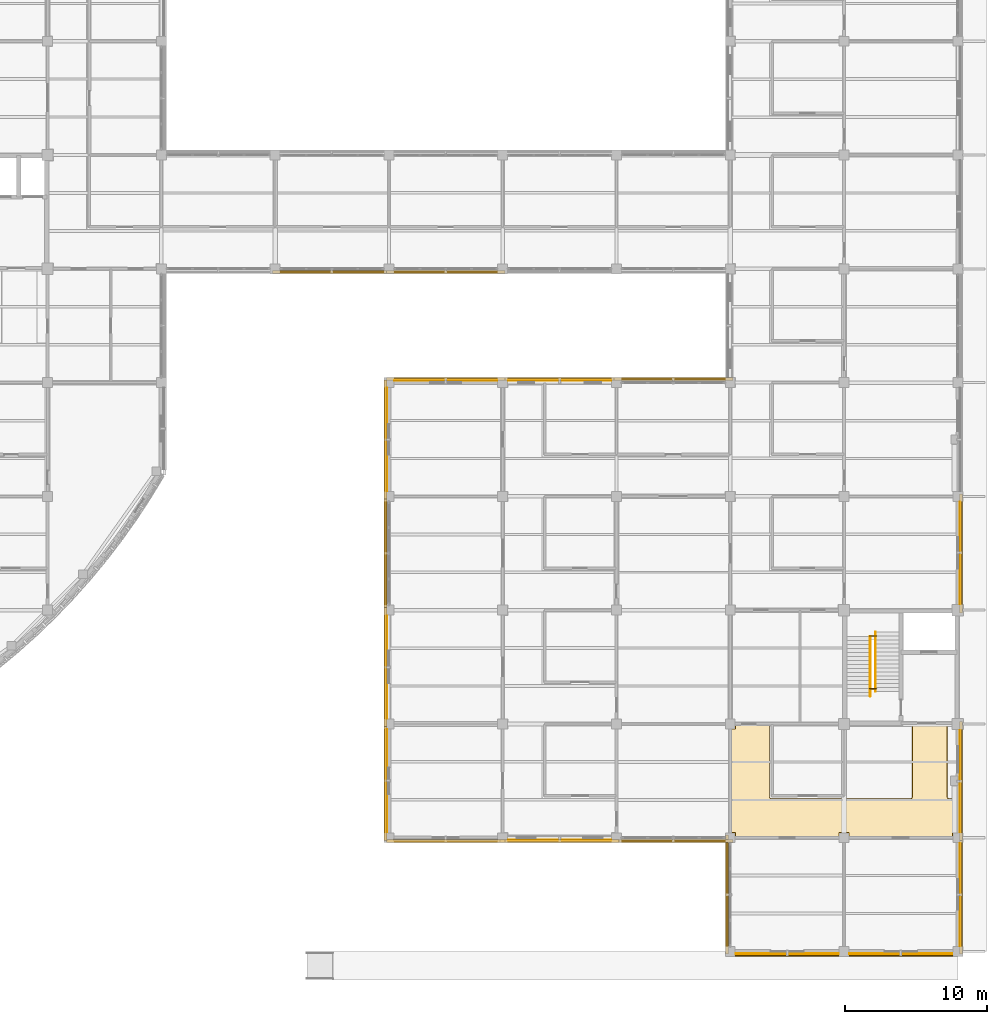
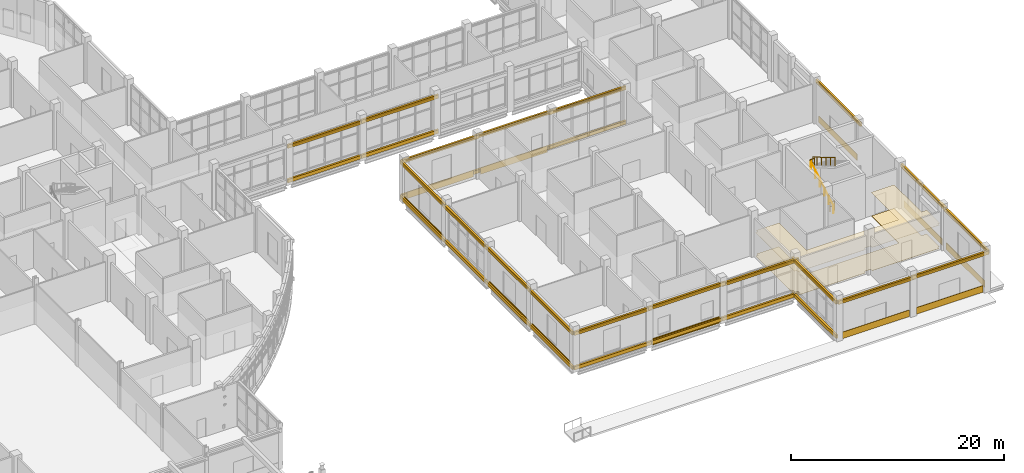
# One storey, part 102 of 105: 44 coverings, 18 shading devices, 4 railings.
"""IFC4 building model written with IfcOpenShell, lengths in metres."""

from ifc_helpers import new_model, si_unit, derived_unit, direction, frame, origin, origin_2d, place, context, subcontext, project, spatial, polyline, rectangle, circle, outline, extrude, material, layer, layer_set, material_profile, profile_set, type_object, element, save


model = new_model("IFC4")

# Units and contexts
model_context = context("Model", 3, precision=1e-05, world=origin(), true_north=direction((0.0, 1.0)))
body_context = subcontext(model_context, "Body", "Model", "MODEL_VIEW")
ifc_project = project(units=[si_unit("LENGTHUNIT", "METRE"), si_unit("AREAUNIT", "SQUARE_METRE"), si_unit("VOLUMEUNIT", "CUBIC_METRE"), si_unit("PLANEANGLEUNIT", "RADIAN"), si_unit("MASSUNIT", "GRAM", prefix="KILO"), derived_unit("THERMALTRANSMITTANCEUNIT", [(si_unit("MASSUNIT", "GRAM", prefix="KILO"), 1), (si_unit("TIMEUNIT", "SECOND"), -3), (si_unit("THERMODYNAMICTEMPERATUREUNIT", "KELVIN"), -1)])], contexts=[model_context])

# Site, building, storey
site_placement = place(None, origin())
site = spatial("IfcSite", under=ifc_project, at=site_placement, CompositionType="ELEMENT")
building_placement = place(site_placement, origin())
building = spatial("IfcBuilding", under=site, at=building_placement, Name="Veyamyaing Civic Hall", CompositionType="ELEMENT")
storey_placement = place(building_placement, origin())
storey = spatial("IfcBuildingStorey", under=building, at=storey_placement, Name="L00", CompositionType="ELEMENT", Elevation=0.0)

# Coverings
ifc_material_1 = material(Name="Buff sandstone ashlar cladding", Category="masonry")
ifc_layer_1 = layer(ifc_material_1, 0.050048828125, Name="Buff sandstone ashlar cladding")
ifc_layer_set_1 = layer_set([ifc_layer_1], Name="Buff sandstone ashlar cladding")
covering_type_1 = type_object("IfcCoveringType", Name="CL-01", PredefinedType="CLADDING", material=ifc_layer_set_1)
for number, where, z_axis, x_axis, name in (
    (1, (135.843994140625, 12.0, 0.044921875), (0.0, 0.0, 1.0), (0.0, 1.0, 0.0), "Facade spandrel cladding CL-01 L00 W 18.2"),
    (2, (135.843994140625, 20.0, 0.044921875), (0.0, 0.0, 1.0), (0.0, 1.0, 0.0), "Facade spandrel cladding CL-01 L00 W 18.3"),
    (3, (140.0, 40.156005859375, 0.044921875), (0.0, 0.0, 1.0), (1.0, 0.0, 0.0), "Facade spandrel cladding CL-01 L00 N 18.5"),
    (4, (135.843994140625, 36.0, 0.044921875), (0.0, 0.0, 1.0), (0.0, 1.0, 0.0), "Facade spandrel cladding CL-01 L00 W 18.5"),
    (5, (148.0, 7.843994140625, 0.044921875), (0.0, 0.0, 1.0), (1.0, 0.0, 0.0), "Facade spandrel cladding CL-01 L00 S 19.2"),
    (6, (148.0, 40.156005859375, 0.044921875), (0.0, 0.0, 1.0), (1.0, 0.0, 0.0), "Facade spandrel cladding CL-01 L00 N 19.5"),
    (7, (164.0, -0.156005859375, 0.044921875), (0.0, 0.0, 1.0), (1.0, 0.0, 0.0), "Facade spandrel cladding CL-01 L00 S 21.1"),
    (8, (172.0, -0.156005859375, 0.044921875), (0.0, 0.0, 1.0), (1.0, 0.0, 0.0), "Facade spandrel cladding CL-01 L00 S 22.1"),
    (9, (176.156005859375, 4.0, 0.044921875), (0.0, 0.0, 1.0), (0.0, 1.0, 0.0), "Facade spandrel cladding CL-01 L00 E 22.1"),
):
    element("IfcCovering", number, at=place(storey_placement, frame(where, z_axis=z_axis, x_axis=x_axis)), inside=storey, type_object=covering_type_1, Name=name, PredefinedType="CLADDING", context=body_context, shape_type="SweptSolid", body=[
        extrude(rectangle(XDim=7.25, YDim=0.050048828125, at=origin_2d()), origin(), (0.0, 0.0, 1.0), 0.75),
    ])
for number, where, z_axis, x_axis, name in (
    (10, (176.156005859375, 11.97509765625, 0.044921875), (0.0, 0.0, 1.0), (0.0, 1.0, 0.0), "Facade spandrel cladding CL-01 L00 E 22.2"),
    (11, (176.156005859375, 28.02490234375, 0.044921875), (0.0, 0.0, 1.0), (0.0, 1.0, 0.0), "Facade spandrel cladding CL-01 L00 E 22.4"),
):
    element("IfcCovering", number, at=place(storey_placement, frame(where, z_axis=z_axis, x_axis=x_axis)), inside=storey, type_object=covering_type_1, Name=name, PredefinedType="CLADDING", context=body_context, shape_type="SweptSolid", body=[
        extrude(rectangle(XDim=7.199951171875, YDim=0.050048828125, at=origin_2d()), origin(), (0.0, 0.0, 1.0), 0.75),
    ])
ifc_material_2 = material(Name="White powder-coated aluminium 6063-T6", Category="aluminium")
ifc_layer_2 = layer(ifc_material_2, 0.2099609375, Name="White powder-coated aluminium 6063-T6")
ifc_layer_set_2 = layer_set([ifc_layer_2], Name="White powder-coated aluminium 6063-T6")
covering_type_2 = type_object("IfcCoveringType", Name="CL-03", PredefinedType="CLADDING", material=ifc_layer_set_2)
for number, where, z_axis, x_axis, name in (
    (12, (132.0, 47.760009765625, 4.234130859375), (0.0, 0.0, 1.0), (1.0, 0.0, 0.0), "Continuous white head fascia ribbon CL-03 L00 S 17.7"),
    (13, (132.0, 47.760009765625, 0.280029296875), (0.0, 0.0, 1.0), (1.0, 0.0, 0.0), "Continuous white sill fascia ribbon CL-03 L00 S 17.7"),
    (14, (140.0, 7.760009765625, 4.234130859375), (0.0, 0.0, 1.0), (1.0, 0.0, 0.0), "Continuous white head fascia ribbon CL-03 L00 S 18.2"),
    (15, (140.0, 7.760009765625, 0.280029296875), (0.0, 0.0, 1.0), (1.0, 0.0, 0.0), "Continuous white sill fascia ribbon CL-03 L00 S 18.2"),
    (16, (135.760009765625, 12.0, 4.234130859375), (0.0, 0.0, 1.0), (0.0, 1.0, 0.0), "Continuous white head fascia ribbon CL-03 L00 W 18.2"),
    (17, (135.760009765625, 12.0, 0.280029296875), (0.0, 0.0, 1.0), (0.0, 1.0, 0.0), "Continuous white sill fascia ribbon CL-03 L00 W 18.2"),
    (18, (135.760009765625, 20.0, 4.297119140625), (0.0, 0.0, 1.0), (0.0, 1.0, 0.0), "Continuous white head fascia ribbon CL-03 L00 W 18.3"),
    (19, (135.760009765625, 20.0, 0.280029296875), (0.0, 0.0, 1.0), (0.0, 1.0, 0.0), "Continuous white sill fascia ribbon CL-03 L00 W 18.3"),
    (20, (135.760009765625, 28.0, 4.22998046875), (0.0, 0.0, 1.0), (0.0, 1.0, 0.0), "Continuous white head fascia ribbon CL-03 L00 W 18.4"),
    (21, (135.760009765625, 28.0, 0.280029296875), (0.0, 0.0, 1.0), (0.0, 1.0, 0.0), "Continuous white sill fascia ribbon CL-03 L00 W 18.4"),
    (22, (140.0, 40.239990234375, 4.234130859375), (0.0, 0.0, 1.0), (1.0, 0.0, 0.0), "Continuous white head fascia ribbon CL-03 L00 N 18.5"),
    (23, (140.0, 40.239990234375, 0.280029296875), (0.0, 0.0, 1.0), (1.0, 0.0, 0.0), "Continuous white sill fascia ribbon CL-03 L00 N 18.5"),
    (24, (135.760009765625, 36.0, 4.2939453125), (0.0, 0.0, 1.0), (0.0, 1.0, 0.0), "Continuous white head fascia ribbon CL-03 L00 W 18.5"),
    (25, (135.760009765625, 36.0, 0.280029296875), (0.0, 0.0, 1.0), (0.0, 1.0, 0.0), "Continuous white sill fascia ribbon CL-03 L00 W 18.5"),
    (26, (140.0, 47.760009765625, 4.297119140625), (0.0, 0.0, 1.0), (1.0, 0.0, 0.0), "Continuous white head fascia ribbon CL-03 L00 S 18.7"),
    (27, (140.0, 47.760009765625, 0.280029296875), (0.0, 0.0, 1.0), (1.0, 0.0, 0.0), "Continuous white sill fascia ribbon CL-03 L00 S 18.7"),
    (28, (148.0, 7.760009765625, 4.297119140625), (0.0, 0.0, 1.0), (1.0, 0.0, 0.0), "Continuous white head fascia ribbon CL-03 L00 S 19.2"),
    (29, (148.0, 7.760009765625, 0.280029296875), (0.0, 0.0, 1.0), (1.0, 0.0, 0.0), "Continuous white sill fascia ribbon CL-03 L00 S 19.2"),
    (30, (148.0, 40.239990234375, 4.297119140625), (0.0, 0.0, 1.0), (1.0, 0.0, 0.0), "Continuous white head fascia ribbon CL-03 L00 N 19.5"),
    (31, (148.0, 40.239990234375, 0.280029296875), (0.0, 0.0, 1.0), (1.0, 0.0, 0.0), "Continuous white sill fascia ribbon CL-03 L00 N 19.5"),
    (32, (156.0, 7.760009765625, 4.22998046875), (0.0, 0.0, 1.0), (1.0, 0.0, 0.0), "Continuous white head fascia ribbon CL-03 L00 S 20.2"),
    (33, (156.0, 7.760009765625, 0.280029296875), (0.0, 0.0, 1.0), (1.0, 0.0, 0.0), "Continuous white sill fascia ribbon CL-03 L00 S 20.2"),
    (34, (156.0, 40.239990234375, 4.22998046875), (0.0, 0.0, 1.0), (1.0, 0.0, 0.0), "Continuous white head fascia ribbon CL-03 L00 N 20.5"),
    (35, (156.0, 40.239990234375, 0.280029296875), (0.0, 0.0, 1.0), (1.0, 0.0, 0.0), "Continuous white sill fascia ribbon CL-03 L00 N 20.5"),
    (36, (164.0, -0.239990234375, 4.22998046875), (0.0, 0.0, 1.0), (1.0, 0.0, 0.0), "Continuous white head fascia ribbon CL-03 L00 S 21.1"),
    (37, (159.760009765625, 4.0, 4.22998046875), (0.0, 0.0, 1.0), (0.0, 1.0, 0.0), "Continuous white head fascia ribbon CL-03 L00 W 21.1"),
    (38, (159.760009765625, 4.0, 0.280029296875), (0.0, 0.0, 1.0), (0.0, 1.0, 0.0), "Continuous white sill fascia ribbon CL-03 L00 W 21.1"),
    (39, (172.0, -0.239990234375, 4.2939453125), (0.0, 0.0, 1.0), (1.0, 0.0, 0.0), "Continuous white head fascia ribbon CL-03 L00 S 22.1"),
    (40, (176.239990234375, 4.0, 4.234130859375), (0.0, 0.0, 1.0), (0.0, 1.0, 0.0), "Continuous white head fascia ribbon CL-03 L00 E 22.1"),
    (41, (176.239990234375, 12.0, 4.297119140625), (0.0, 0.0, 1.0), (0.0, 1.0, 0.0), "Continuous white head fascia ribbon CL-03 L00 E 22.2"),
    (42, (176.239990234375, 28.0, 4.2939453125), (0.0, 0.0, 1.0), (0.0, 1.0, 0.0), "Continuous white head fascia ribbon CL-03 L00 E 22.4"),
):
    element("IfcCovering", number, at=place(storey_placement, frame(where, z_axis=z_axis, x_axis=x_axis)), inside=storey, type_object=covering_type_2, Name=name, PredefinedType="CLADDING", context=body_context, shape_type="SweptSolid", body=[
        extrude(rectangle(XDim=8.360107421875, YDim=0.2099609375, at=origin_2d()), origin(), (0.0, 0.0, 1.0), 0.39990234375),
    ])
ifc_material_3 = material(Name="Perforated acoustic gypsum ceiling board")
ifc_layer_3 = layer(ifc_material_3, 0.02490234375, Name="Perforated acoustic gypsum ceiling board")
ifc_layer_set_3 = layer_set([ifc_layer_3], Name="Perforated acoustic gypsum ceiling board")
covering_type_3 = type_object("IfcCoveringType", Name="CLG-01", PredefinedType="CEILING", material=ifc_layer_set_3)
covering_1_placement = place(storey_placement, frame((0.0, 0.0, 2.699951171875)))
element("IfcCovering", 43, at=covering_1_placement, inside=storey, type_object=covering_type_3, Name="Acoustic suspended ceiling CLG-01 L00-C08", PredefinedType="CEILING", context=body_context, shape_type="SweptSolid", body=[
    extrude(outline(polyline([(162.78125, 10.821533203125), (162.79736328125, 10.79736328125), (162.821533203125, 10.78125), (162.8525390625, 10.77490234375), (172.697509765625, 10.77490234375), (172.729248046875, 10.78125), (172.747314453125, 10.792236328125), (172.76220703125, 10.80859375), (172.771484375, 10.828369140625), (172.77490234375, 10.851806640625), (172.77490234375, 15.925048828125), (175.27490234375, 15.925048828125), (175.275390625, 10.84326171875), (175.281005859375, 10.8212890625), (175.2919921875, 10.80322265625), (175.3154296875, 10.783935546875), (175.3349609375, 10.77685546875), (175.844970703125, 10.77490234375), (175.844970703125, 8.3349609375), (175.6650390625, 8.3349609375), (175.6650390625, 8.074951171875), (168.3349609375, 8.074951171875), (168.3349609375, 8.3349609375), (167.6650390625, 8.3349609375), (167.6650390625, 8.074951171875), (160.3349609375, 8.074951171875), (160.3349609375, 8.3349609375), (160.074951171875, 8.3349609375), (160.074951171875, 15.6650390625), (160.3349609375, 15.6650390625), (160.3349609375, 15.925048828125), (162.77490234375, 15.925048828125), (162.77490234375, 10.8525390625), (162.78125, 10.821533203125)])), origin(), (0.0, 0.0, 1.0), 0.025146484375),
])
ifc_material_4 = material(Name="Polished Mandalay marble and terrazzo flooring", Category="masonry")
ifc_layer_4 = layer(ifc_material_4, 0.030029296875, Name="Polished Mandalay marble and terrazzo flooring")
ifc_layer_set_4 = layer_set([ifc_layer_4], Name="Polished Mandalay marble and terrazzo flooring")
covering_type_4 = type_object("IfcCoveringType", Name="FLR-01", PredefinedType="FLOORING", material=ifc_layer_set_4)
covering_2_placement = place(storey_placement, origin())
element("IfcCovering", 44, at=covering_2_placement, inside=storey, type_object=covering_type_4, Name="Stone and terrazzo flooring FLR-01 L00-C08", PredefinedType="FLOORING", context=body_context, shape_type="SweptSolid", body=[
    extrude(outline(polyline([(162.757568359375, 10.811767578125), (162.779296875, 10.779296875), (162.811767578125, 10.757568359375), (162.85009765625, 10.75), (172.699951171875, 10.75), (172.73828125, 10.757568359375), (172.763427734375, 10.772705078125), (172.783203125, 10.79443359375), (172.795654296875, 10.821044921875), (172.800048828125, 10.85009765625), (172.800048828125, 15.89990234375), (175.25, 15.89990234375), (175.25048828125, 10.840087890625), (175.257568359375, 10.811767578125), (175.272705078125, 10.78662109375), (175.302978515625, 10.76171875), (175.33056640625, 10.751953125), (175.820068359375, 10.75), (175.820068359375, 8.360107421875), (175.639892578125, 8.360107421875), (175.639892578125, 8.10009765625), (168.360107421875, 8.10009765625), (168.360107421875, 8.360107421875), (167.639892578125, 8.360107421875), (167.639892578125, 8.10009765625), (160.360107421875, 8.10009765625), (160.360107421875, 8.360107421875), (160.10009765625, 8.360107421875), (160.10009765625, 15.639892578125), (160.360107421875, 15.639892578125), (160.360107421875, 15.89990234375), (162.75, 15.89990234375), (162.75, 10.85009765625), (162.757568359375, 10.811767578125)])), origin(), (0.0, 0.0, 1.0), 0.030029296875),
])

# Railings
ifc_material_5 = material(Name="Steel S355J2", Category="steel")
railing_type_1 = type_object("IfcRailingType", Name="RL-01", PredefinedType="BALUSTRADE", material=ifc_material_5)
railing_1_placement = place(storey_placement, frame((169.780029296875, 22.18994140625, 2.639892578125)))
element("IfcRailing", 45, at=railing_1_placement, inside=storey, type_object=railing_type_1, Name="Half-landing slot guard RL-01 ST-10 L00", PredefinedType="BALUSTRADE", context=body_context, shape_type="SweptSolid", body=[
    extrude(circle(Radius=0.02392578125, at=origin_2d()), frame((0.0, 0.0, 1.076171875), z_axis=(1.0, 0.0, 0.0), x_axis=(0.0, 1.0, 0.0)), (0.0, 0.0, 1.0), 0.489990234375),
    extrude(circle(Radius=0.01416015625, at=origin_2d()), frame((0.0, 0.0, 0.572021484375), z_axis=(1.0, 0.0, 0.0), x_axis=(0.0, 1.0, 0.0)), (0.0, 0.0, 1.0), 0.489990234375),
    extrude(circle(Radius=0.02099609375, at=origin_2d()), origin(), (0.0, 0.0, 1.0), 1.052001953125),
    extrude(circle(Radius=0.02099609375, at=origin_2d()), frame((0.489990234375, 0.0, 0.0)), (0.0, 0.0, 1.0), 1.052001953125),
])
railing_2_placement = place(storey_placement, frame((169.800048828125, 18.47998046875, 0.0)))
element("IfcRailing", 46, at=railing_2_placement, inside=storey, type_object=railing_type_1, Name="Floor-landing slot guard RL-01 ST-10 L00", PredefinedType="BALUSTRADE", context=body_context, shape_type="SweptSolid", body=[
    extrude(circle(Radius=0.02392578125, at=origin_2d()), frame((0.0, 0.0, 1.076171875), z_axis=(1.0, 0.0, 0.0), x_axis=(0.0, 1.0, 0.0)), (0.0, 0.0, 1.0), 0.469970703125),
    extrude(circle(Radius=0.01416015625, at=origin_2d()), frame((0.0, 0.0, 0.572021484375), z_axis=(1.0, 0.0, 0.0), x_axis=(0.0, 1.0, 0.0)), (0.0, 0.0, 1.0), 0.469970703125),
    extrude(circle(Radius=0.02099609375, at=origin_2d()), origin(), (0.0, 0.0, 1.0), 1.052001953125),
    extrude(circle(Radius=0.02099609375, at=origin_2d()), frame((0.469970703125, 0.0, 0.0)), (0.0, 0.0, 1.0), 1.052001953125),
])
railing_type_2 = type_object("IfcRailingType", Name="RL-02", PredefinedType="HANDRAIL", material=ifc_material_5)
railing_3_placement = place(storey_placement, frame((169.840087890625, 17.949951171875, 0.1650390625)))
element("IfcRailing", 47, at=railing_3_placement, inside=storey, type_object=railing_type_2, Name="Stair pitch handrail RL-02 ST-10 L00.1", PredefinedType="HANDRAIL", context=body_context, shape_type="SweptSolid", body=[
    extrude(circle(Radius=0.02392578125, at=origin_2d()), frame((0.0, 0.0, 0.89599609375), z_axis=(0.0, 0.861549022881, 0.507674384988), x_axis=(-1.0, 0.0, 0.0)), (0.0, 0.0, 1.0), 4.875),
    extrude(circle(Radius=0.02099609375, at=origin_2d()), origin(), (0.0, 0.0, 1.0), 0.871826171875),
    extrude(circle(Radius=0.02099609375, at=origin_2d()), frame((0.0, 0.840087890625, 0.494873046875)), (0.0, 0.0, 1.0), 0.871826171875),
    extrude(circle(Radius=0.02099609375, at=origin_2d()), frame((0.0, 1.679931640625, 0.989990234375)), (0.0, 0.0, 1.0), 0.871826171875),
    extrude(circle(Radius=0.02099609375, at=origin_2d()), frame((0.0, 2.52001953125, 1.48486328125)), (0.0, 0.0, 1.0), 0.871826171875),
    extrude(circle(Radius=0.02099609375, at=origin_2d()), frame((0.0, 3.35986328125, 1.97998046875)), (0.0, 0.0, 1.0), 0.871826171875),
    extrude(circle(Radius=0.02099609375, at=origin_2d()), frame((0.0, 4.199951171875, 2.474853515625)), (0.0, 0.0, 1.0), 0.871826171875),
])
railing_4_placement = place(storey_placement, frame((170.219970703125, 22.469970703125, 2.804931640625)))
element("IfcRailing", 48, at=railing_4_placement, inside=storey, type_object=railing_type_2, Name="Stair pitch handrail RL-02 ST-10 L00.2", PredefinedType="HANDRAIL", context=body_context, shape_type="SweptSolid", body=[
    extrude(circle(Radius=0.02392578125, at=origin_2d()), frame((0.0, 0.0, 0.89599609375), z_axis=(0.0, -0.861527117747, 0.50771155727), x_axis=(1.0, 0.0, 0.0)), (0.0, 0.0, 1.0), 4.875),
    extrude(circle(Radius=0.02099609375, at=origin_2d()), origin(), (0.0, 0.0, 1.0), 0.871826171875),
    extrude(circle(Radius=0.02099609375, at=origin_2d()), frame((0.0, -0.840087890625, 0.4951171875)), (0.0, 0.0, 1.0), 0.871826171875),
    extrude(circle(Radius=0.02099609375, at=origin_2d()), frame((0.0, -1.679931640625, 0.989990234375)), (0.0, 0.0, 1.0), 0.871826171875),
    extrude(circle(Radius=0.02099609375, at=origin_2d()), frame((0.0, -2.52001953125, 1.485107421875)), (0.0, 0.0, 1.0), 0.871826171875),
    extrude(circle(Radius=0.02099609375, at=origin_2d()), frame((0.0, -3.35986328125, 1.97998046875)), (0.0, 0.0, 1.0), 0.871826171875),
    extrude(circle(Radius=0.02099609375, at=origin_2d()), frame((0.0, -4.199951171875, 2.47509765625)), (0.0, 0.0, 1.0), 0.871826171875),
])

# Shading devices
ifc_material_profile = material_profile(ifc_material_2, circle(Radius=0.090087890625, at=origin_2d()), Name="SHADE-TUBE-180")
ifc_profile_set = profile_set([ifc_material_profile], Name="White powder-coated aluminium 6063-T6")
shading_device_type = type_object("IfcShadingDeviceType", Name="SH-02", PredefinedType="USERDEFINED", material=ifc_profile_set)
for number, where, z_axis, x_axis, name in (
    (49, (128.3349609375, 47.760009765625, 4.39404296875), (1.0, 0.0, 0.0), (0.0, 1.0, 0.0), "Horizontal white sunshade ribbon SH-02 L00 S 17.7"),
    (50, (136.3349609375, 7.760009765625, 4.39404296875), (1.0, 0.0, 0.0), (0.0, 1.0, 0.0), "Horizontal white sunshade ribbon SH-02 L00 S 18.2"),
    (51, (135.760009765625, 8.3349609375, 4.39404296875), (0.0, 1.0, 0.0), (-1.0, 0.0, 0.0), "Horizontal white sunshade ribbon SH-02 L00 W 18.2"),
    (52, (135.760009765625, 16.3349609375, 4.45703125), (0.0, 1.0, 0.0), (-1.0, 0.0, 0.0), "Horizontal white sunshade ribbon SH-02 L00 W 18.3"),
    (53, (135.760009765625, 24.3349609375, 4.389892578125), (0.0, 1.0, 0.0), (-1.0, 0.0, 0.0), "Horizontal white sunshade ribbon SH-02 L00 W 18.4"),
    (54, (136.3349609375, 40.239990234375, 4.39404296875), (1.0, 0.0, 0.0), (0.0, 1.0, 0.0), "Horizontal white sunshade ribbon SH-02 L00 N 18.5"),
    (55, (135.760009765625, 32.3349609375, 4.4541015625), (0.0, 1.0, 0.0), (-1.0, 0.0, 0.0), "Horizontal white sunshade ribbon SH-02 L00 W 18.5"),
    (56, (136.3349609375, 47.760009765625, 4.45703125), (1.0, 0.0, 0.0), (0.0, 1.0, 0.0), "Horizontal white sunshade ribbon SH-02 L00 S 18.7"),
    (57, (144.3349609375, 7.760009765625, 4.45703125), (1.0, 0.0, 0.0), (0.0, 1.0, 0.0), "Horizontal white sunshade ribbon SH-02 L00 S 19.2"),
    (58, (144.3349609375, 40.239990234375, 4.45703125), (1.0, 0.0, 0.0), (0.0, 1.0, 0.0), "Horizontal white sunshade ribbon SH-02 L00 N 19.5"),
    (59, (152.3349609375, 7.760009765625, 4.389892578125), (1.0, 0.0, 0.0), (0.0, 1.0, 0.0), "Horizontal white sunshade ribbon SH-02 L00 S 20.2"),
    (60, (152.3349609375, 40.239990234375, 4.389892578125), (1.0, 0.0, 0.0), (0.0, 1.0, 0.0), "Horizontal white sunshade ribbon SH-02 L00 N 20.5"),
    (61, (160.3349609375, -0.239990234375, 4.389892578125), (1.0, 0.0, 0.0), (0.0, 1.0, 0.0), "Horizontal white sunshade ribbon SH-02 L00 S 21.1"),
    (62, (159.760009765625, 0.3349609375, 4.389892578125), (0.0, 1.0, 0.0), (-1.0, 0.0, 0.0), "Horizontal white sunshade ribbon SH-02 L00 W 21.1"),
    (63, (168.3349609375, -0.239990234375, 4.4541015625), (1.0, 0.0, 0.0), (0.0, 1.0, 0.0), "Horizontal white sunshade ribbon SH-02 L00 S 22.1"),
    (64, (176.239990234375, 0.3349609375, 4.39404296875), (0.0, 1.0, 0.0), (-1.0, 0.0, 0.0), "Horizontal white sunshade ribbon SH-02 L00 E 22.1"),
):
    element("IfcShadingDevice", number, at=place(storey_placement, frame(where, z_axis=z_axis, x_axis=x_axis)), inside=storey, type_object=shading_device_type, Name=name, ObjectType="SUNSHADE", PredefinedType="USERDEFINED", context=body_context, shape_type="SweptSolid", body=[
        extrude(circle(Radius=0.090087890625, at=origin_2d()), origin(), (0.0, 0.0, 1.0), 7.330078125),
    ])
for number, where, z_axis, x_axis, name in (
    (65, (176.239990234375, 8.3349609375, 4.45703125), (0.0, 1.0, 0.0), (-1.0, 0.0, 0.0), "Horizontal white sunshade ribbon SH-02 L00 E 22.2"),
    (66, (176.239990234375, 24.385009765625, 4.4541015625), (0.0, 1.0, 0.0), (-1.0, 0.0, 0.0), "Horizontal white sunshade ribbon SH-02 L00 E 22.4"),
):
    element("IfcShadingDevice", number, at=place(storey_placement, frame(where, z_axis=z_axis, x_axis=x_axis)), inside=storey, type_object=shading_device_type, Name=name, ObjectType="SUNSHADE", PredefinedType="USERDEFINED", context=body_context, shape_type="SweptSolid", body=[
        extrude(circle(Radius=0.090087890625, at=origin_2d()), origin(), (0.0, 0.0, 1.0), 7.280029296875),
    ])

save(model, "model.ifc")
